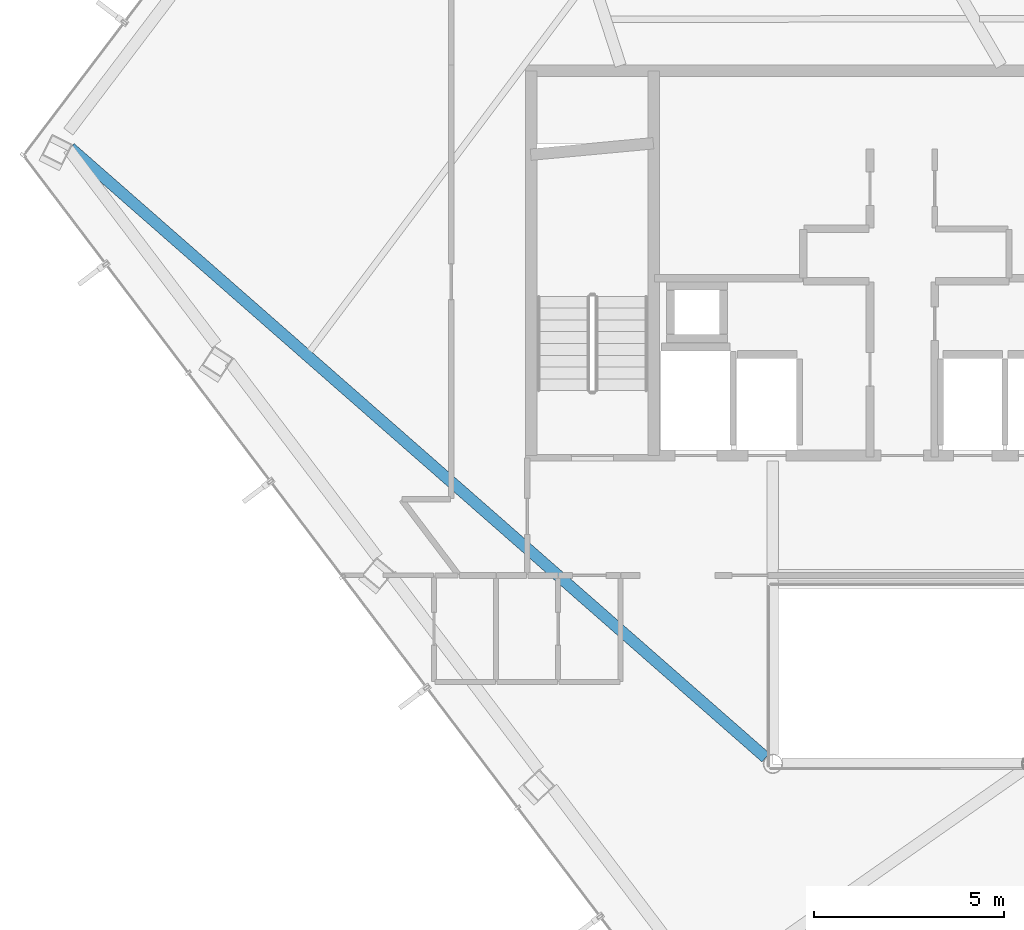
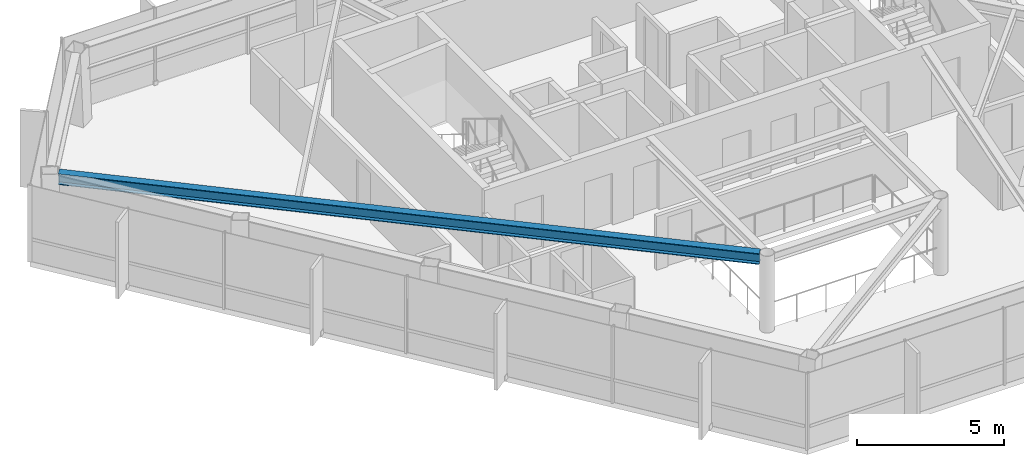
# One storey, part 6 of 27: 1 beam.
"""IFC4 building model written with IfcOpenShell, lengths in metres."""

from ifc_helpers import new_model, si_unit, direction, frame, origin, origin_2d, place, context, subcontext, project, spatial, i_section, extrude, material, material_profile, profile_set, type_object, element, save


model = new_model("IFC4")

# Units and contexts
model_context = context("Model", 3, precision=1e-05, world=origin(), true_north=direction((0.0, 1.0)))
body_context = subcontext(model_context, "Body", "Model", "MODEL_VIEW")
ifc_project = project(units=[si_unit("LENGTHUNIT", "METRE"), si_unit("AREAUNIT", "SQUARE_METRE"), si_unit("VOLUMEUNIT", "CUBIC_METRE"), si_unit("PLANEANGLEUNIT", "RADIAN"), si_unit("MASSUNIT", "GRAM", prefix="KILO")], contexts=[model_context])

# Site, building, storey
site_placement = place(None, origin())
site = spatial("IfcSite", under=ifc_project, at=site_placement, CompositionType="ELEMENT")
building_placement = place(site_placement, origin())
building = spatial("IfcBuilding", under=site, at=building_placement, Name="Zarrinselat Tower", CompositionType="ELEMENT")
storey_placement = place(building_placement, frame((0.0, 0.0, 235.9599609375)))
storey = spatial("IfcBuildingStorey", under=building, at=storey_placement, Name="L59", CompositionType="ELEMENT", Elevation=235.9599609375)

# Beam
ifc_material = material(Name="Steel S355J2", Category="steel")
ifc_material_profile = material_profile(ifc_material, i_section(OverallWidth=0.300048828125, OverallDepth=0.449951171875, WebThickness=0.013916015625, FlangeThickness=0.02587890625, at=origin_2d()), Name="HEB 450")
ifc_profile_set = profile_set([ifc_material_profile], Name="Steel S355J2")
beam_type = type_object("IfcBeamType", Name="BM-HEB450", PredefinedType="BEAM", material=ifc_profile_set)
beam_placement = place(storey_placement, frame((16.55029296875, 41.376708984375, 2.955078125), z_axis=(0.751903784059, -0.659272856651, 0.0), x_axis=(0.659272856651, 0.751903784059, 0.0)))
element("IfcBeam", 1, at=beam_placement, inside=storey, type_object=beam_type, Name="L59 Radial Primary Girder RG06", PredefinedType="BEAM", context=body_context, shape_type="SweptSolid", body=[
    extrude(i_section(OverallWidth=0.300048828125, OverallDepth=0.449951171875, WebThickness=0.013916015625, FlangeThickness=0.02587890625, at=origin_2d()), origin(), (0.0, 0.0, 1.0), 24.287353515625),
])

save(model, "model.ifc")
